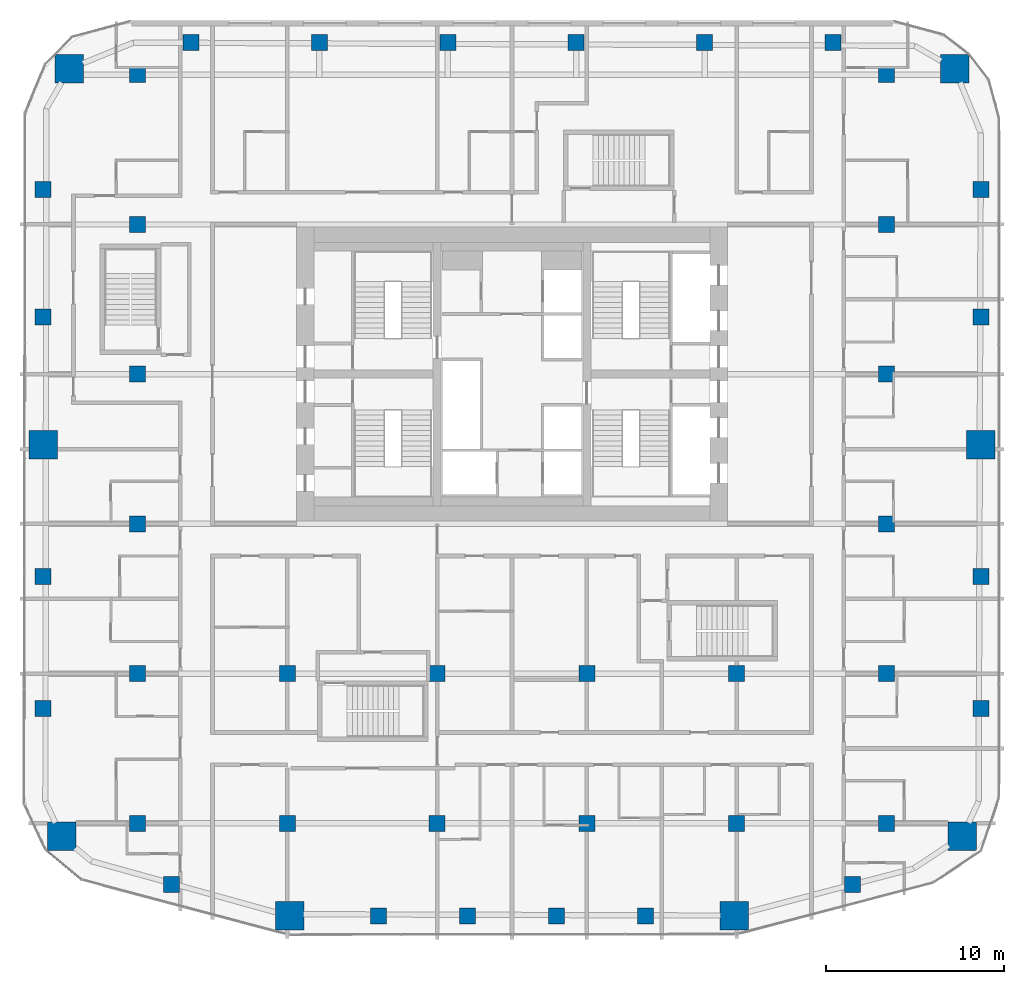
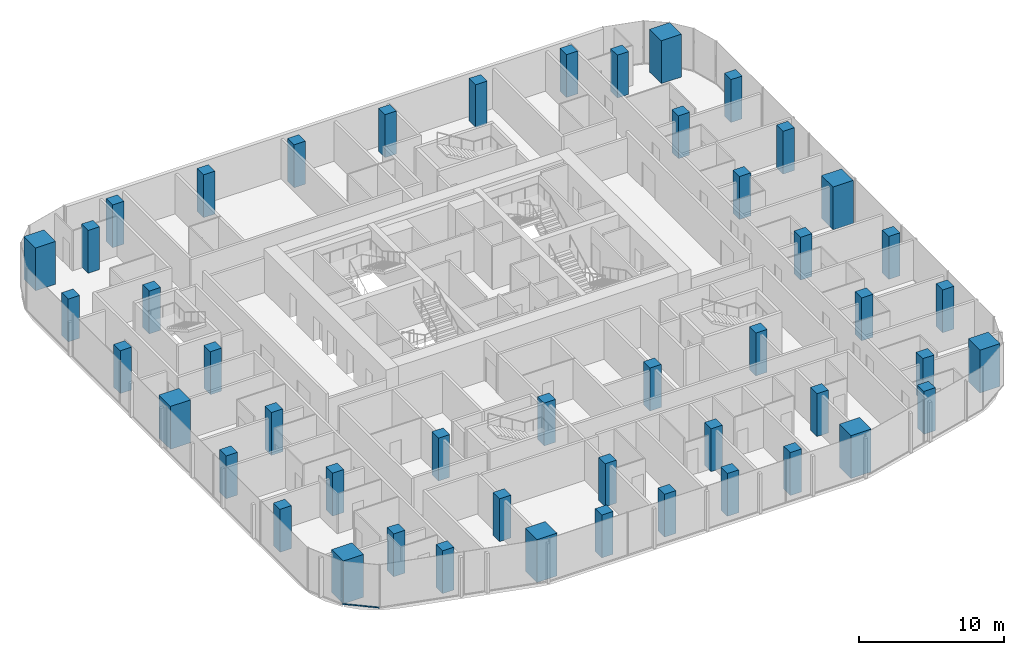
# One storey, part 1 of 23: 48 columns, 1 member, 1 element without a shape of its own.
"""IFC4 building model written with IfcOpenShell, lengths in metres."""

import ifcopenshell
import ifcopenshell.guid

model = None  # the IFC model being written
_history = None  # IfcOwnerHistory: only IFC2X3 demands one
_inside = {}  # id of a spatial element -> (the spatial element, [elements in it])
_under = {}  # id of a project, library or spatial element -> (it, [spatial elements below it])
_declared = {}  # id of a project -> (the project, [libraries it declares])
_typed = {}  # id of a type object -> (the type object, [elements of that type])
_made_of = {}  # id of a material, layer set ... -> (it, [elements and type objects made of it])


def new_model(schema):
    """Start an empty IFC model of exactly this schema.

    Asked for "IFC4X3", IfcOpenShell would pick the latest addendum, in which some entities
    have other attributes; the version numbers below select the first issue.
    IFC2X3 requires an IfcOwnerHistory on every rooted entity: one is made here for all.
    """
    global model, _history
    if schema == "IFC4X3":
        model = ifcopenshell.file(schema_version=(4, 3, 0, 0))
    else:
        model = ifcopenshell.file(schema=schema)
    _inside.clear()
    _under.clear()
    _declared.clear()
    _typed.clear()
    _made_of.clear()
    _history = None
    if model.schema == "IFC2X3":
        org = make("IfcOrganization", Name="unknown")
        user = make(
            "IfcPersonAndOrganization",
            ThePerson=make("IfcPerson", FamilyName="unknown"),
            TheOrganization=org,
        )
        app = make(
            "IfcApplication",
            ApplicationDeveloper=org,
            Version="unknown",
            ApplicationFullName="unknown",
            ApplicationIdentifier="unknown",
        )
        _history = make(
            "IfcOwnerHistory",
            OwningUser=user,
            OwningApplication=app,
            ChangeAction="ADDED",
            CreationDate=0,
        )
    return model


def make(cls, **values):
    """One entity of the class cls with the attributes given. An attribute that is None is left unset."""
    return model.create_entity(
        cls, **{name: value for name, value in values.items() if value is not None}
    )


def rooted(cls, **values):
    """An entity with a GlobalId (a new one), such as an element, a storey or a relation."""
    return make(cls, GlobalId=ifcopenshell.guid.new(), OwnerHistory=_history, **values)


def si_unit(unit_type, name, prefix=None):
    """IfcSIUnit, for example si_unit("LENGTHUNIT", "METRE", prefix="MILLI")."""
    return make("IfcSIUnit", UnitType=unit_type, Prefix=prefix, Name=name)


def assignment(units):
    """IfcUnitAssignment: the units of a project."""
    return None if units is None else make("IfcUnitAssignment", Units=units)


def point(xyz):
    """IfcCartesianPoint."""
    return None if xyz is None else make("IfcCartesianPoint", Coordinates=xyz)


def direction(xyz):
    """IfcDirection."""
    return None if xyz is None else make("IfcDirection", DirectionRatios=xyz)


def frame(location, z_axis=None, x_axis=None):
    """IfcAxis2Placement3D, a coordinate frame: its origin and axes. An axis left out is left unset."""
    return make(
        "IfcAxis2Placement3D",
        Location=point(location),
        Axis=direction(z_axis),
        RefDirection=direction(x_axis),
    )


def frame_2d(location, x_axis=None):
    """IfcAxis2Placement2D, a coordinate frame in the plane: its origin and x axis."""
    return make(
        "IfcAxis2Placement2D", Location=point(location), RefDirection=direction(x_axis)
    )


def origin():
    """The frame at (0, 0, 0) with its axes left unset."""
    return frame((0.0, 0.0, 0.0))


def origin_2d():
    """The frame at (0, 0) in the plane with its x axis left unset."""
    return frame_2d((0.0, 0.0))


def place(relative_to, where):
    """IfcLocalPlacement: puts the frame where relative to a parent placement (None: the world)."""
    return make(
        "IfcLocalPlacement", PlacementRelTo=relative_to, RelativePlacement=where
    )


def context(
    kind, dimensions, precision=None, world=None, true_north=None, identifier=None
):
    """IfcGeometricRepresentationContext, for example the 3D "Model" context."""
    return make(
        "IfcGeometricRepresentationContext",
        ContextIdentifier=identifier,
        ContextType=kind,
        CoordinateSpaceDimension=dimensions,
        Precision=precision,
        WorldCoordinateSystem=world,
        TrueNorth=true_north,
    )


def subcontext(parent, identifier, kind, view, scale=None):
    """IfcGeometricRepresentationSubContext, for example "Body" below "Model"."""
    return make(
        "IfcGeometricRepresentationSubContext",
        ContextIdentifier=identifier,
        ContextType=kind,
        ParentContext=parent,
        TargetScale=scale,
        TargetView=view,
    )


def project(units=None, contexts=None):
    """IfcProject with its units and contexts."""
    return rooted(
        "IfcProject",
        Name="project",
        RepresentationContexts=contexts,
        UnitsInContext=assignment(units),
    )


def spatial(cls, under=None, at=None, **own):
    """A site, building, storey or space (cls), placed at a placement, below another one or the project."""
    s = rooted(cls, ObjectPlacement=at, **own)
    if under is not None:
        _under.setdefault(under.id(), (under, []))[1].append(s)
    return s


def profile(cls, at=None, kind="AREA", **sizes):
    """A parametric profile (cls). Its sizes go by their IFC names, for example OverallWidth=200.0."""
    return make(cls, ProfileType=kind, Position=at, **sizes)


def rectangle(**sizes):
    """IfcRectangleProfileDef."""
    return profile("IfcRectangleProfileDef", **sizes)


def extrude(swept, where, along, depth):
    """IfcExtrudedAreaSolid: the profile swept, set in the frame where, extruded along a direction by depth."""
    return make(
        "IfcExtrudedAreaSolid",
        SweptArea=swept,
        Position=where,
        ExtrudedDirection=direction(along),
        Depth=depth,
    )


def shape(context_of_items, identifier, shape_type, items):
    """IfcShapeRepresentation: the items that make up one representation, for example the "Body"."""
    return make(
        "IfcShapeRepresentation",
        ContextOfItems=context_of_items,
        RepresentationIdentifier=identifier,
        RepresentationType=shape_type,
        Items=items,
    )


def material(Name=None, Category=None):
    """IfcMaterial."""
    return make("IfcMaterial", Name=Name, Category=Category)


def layer(
    of_material, thickness, ventilated=None, Name=None, Category=None, Priority=None
):
    """IfcMaterialLayer: one layer of a wall or slab, of a material (None: an air gap)."""
    return make(
        "IfcMaterialLayer",
        Material=of_material,
        LayerThickness=thickness,
        IsVentilated=ventilated,
        Name=Name,
        Category=Category,
        Priority=Priority,
    )


def layer_set(layers, Name=None):
    """IfcMaterialLayerSet."""
    return make("IfcMaterialLayerSet", MaterialLayers=layers, LayerSetName=Name)


def material_profile(
    of_material, cross_section, Name=None, Category=None, Priority=None
):
    """IfcMaterialProfile: a cross section and its material."""
    return make(
        "IfcMaterialProfile",
        Name=Name,
        Material=of_material,
        Profile=cross_section,
        Priority=Priority,
        Category=Category,
    )


def profile_set(profiles, Name=None, composite=None):
    """IfcMaterialProfileSet."""
    return make(
        "IfcMaterialProfileSet",
        Name=Name,
        MaterialProfiles=profiles,
        CompositeProfile=composite,
    )


def made_of(thing, what):
    """Note that an element or type object is made of a material, layer set ...; save() writes the relation."""
    if what is not None:
        _made_of.setdefault(what.id(), (what, []))[1].append(thing)
    return thing


def type_object(cls, material=None, **own):
    """A type object (cls), such as IfcWallType, which elements share."""
    return made_of(rooted(cls, **own), material)


def element(
    cls,
    number,
    at=None,
    inside=None,
    cuts=None,
    type_object=None,
    material=None,
    context=None,
    identifier="Body",
    shape_type=None,
    held_by="IfcProductDefinitionShape",
    body=None,
    shapes=None,
    **own,
):
    """One element of the class cls, such as IfcWall. Its Tag is "e" and its number.

    at: its placement. inside: the storey or other place that contains it. cuts: it is an
    opening in that element (IfcRelVoidsElement). A single representation is given by context,
    identifier, shape_type and body (its items); several are given by shapes. held_by: the class
    of the entity that holds the representations. save() writes the other relations.
    """
    e = rooted(cls, Tag="e%d" % number, ObjectPlacement=at, **own)
    if body is not None:
        shapes = [shape(context, identifier, shape_type, body)]
    if shapes is not None:
        e.Representation = make(held_by, Representations=shapes)
    if inside is not None:
        _inside.setdefault(inside.id(), (inside, []))[1].append(e)
    if cuts is not None:
        rooted(
            "IfcRelVoidsElement", RelatingBuildingElement=cuts, RelatedOpeningElement=e
        )
    if type_object is not None:
        _typed.setdefault(type_object.id(), (type_object, []))[1].append(e)
    return made_of(e, material)


def aggregate(whole, parts):
    """IfcRelAggregates: a whole, such as a stair, and the parts it consists of."""
    return rooted("IfcRelAggregates", RelatingObject=whole, RelatedObjects=parts)


def save(model, path):
    """Write the relations noted so far, then the file.

    IfcRelAggregates (storeys below a building ...), IfcRelContainedInSpatialStructure (elements
    in a storey), IfcRelDefinesByType, IfcRelAssociatesMaterial and IfcRelDeclares: one each for
    every whole, place, type object, material and project.
    """
    for whole, parts in _under.values():
        aggregate(whole, parts)
    for where, things in _inside.values():
        rooted(
            "IfcRelContainedInSpatialStructure",
            RelatedElements=things,
            RelatingStructure=where,
        )
    for kind, things in _typed.values():
        rooted("IfcRelDefinesByType", RelatedObjects=things, RelatingType=kind)
    for what, things in _made_of.values():
        rooted("IfcRelAssociatesMaterial", RelatedObjects=things, RelatingMaterial=what)
    for by, libraries in _declared.values():
        rooted("IfcRelDeclares", RelatingContext=by, RelatedDefinitions=libraries)
    model.write(path)


model = new_model("IFC4")

# Units and contexts
model_context = context("Model", 3, precision=1e-05, world=origin(), true_north=direction((0.0, 1.0)))
body_context = subcontext(model_context, "Body", "Model", "MODEL_VIEW")
ifc_project = project(units=[si_unit("LENGTHUNIT", "METRE"), si_unit("AREAUNIT", "SQUARE_METRE"), si_unit("VOLUMEUNIT", "CUBIC_METRE"), si_unit("PLANEANGLEUNIT", "RADIAN"), si_unit("MASSUNIT", "GRAM", prefix="KILO")], contexts=[model_context])

# Site, building, storey
site_placement = place(None, origin())
site = spatial("IfcSite", under=ifc_project, at=site_placement, CompositionType="ELEMENT")
building_placement = place(site_placement, origin())
building = spatial("IfcBuilding", under=site, at=building_placement, Name="Marenta Gate Hotel Tower", CompositionType="ELEMENT")
storey_placement = place(building_placement, frame((0.0, 0.0, 140.89990234375)))
storey = spatial("IfcBuildingStorey", under=building, at=storey_placement, Name="L32", CompositionType="ELEMENT", Elevation=140.89990234375)

# Columns
ifc_material_1 = material(Name="Concrete C70", Category="concrete")
ifc_material_profile_1 = material_profile(ifc_material_1, rectangle(XDim=0.89990234375, YDim=0.89990234375, at=origin_2d()), Name="900 x 900")
ifc_profile_set_1 = profile_set([ifc_material_profile_1], Name="Concrete C70")
column_type_1 = type_object("IfcColumnType", Name="Edge column 900 x 900 C70", PredefinedType="COLUMN", material=ifc_profile_set_1)
for number, where, z_axis, x_axis, name in (
    (1, (-26.300048828125, -10.351806640625, 0.0), (0.0, 0.0, 1.0), (1.0, 0.0, 0.0), "L32-EC-SW-W-1"),
    (2, (-26.300048828125, -2.950927734375, 0.0), (0.0, 0.0, 1.0), (1.0, 0.0, 0.0), "L32-EC-SW-W-2"),
    (3, (-26.300048828125, 11.603271484375, 0.0), (0.0, 0.0, 1.0), (1.0, 0.0, 0.0), "L32-EC-W-NW-1"),
    (4, (-26.300048828125, 18.75634765625, 0.0), (0.0, 0.0, 1.0), (1.0, 0.0, 0.0), "L32-EC-W-NW-2"),
    (5, (-18.0068359375, 27.0, 0.0), (0.0, 0.0, 1.0), (1.0, 0.0, 0.0), "L32-EC-NW-NE-1"),
    (6, (-10.80419921875, 27.0, 0.0), (0.0, 0.0, 1.0), (1.0, 0.0, 0.0), "L32-EC-NW-NE-2"),
    (7, (-3.601318359375, 27.0, 0.0), (0.0, 0.0, 1.0), (1.0, 0.0, 0.0), "L32-EC-NW-NE-3"),
    (8, (3.601318359375, 27.0, 0.0), (0.0, 0.0, 1.0), (1.0, 0.0, 0.0), "L32-EC-NW-NE-4"),
    (9, (10.80419921875, 27.0, 0.0), (0.0, 0.0, 1.0), (1.0, 0.0, 0.0), "L32-EC-NW-NE-5"),
    (10, (18.0068359375, 27.0, 0.0), (0.0, 0.0, 1.0), (1.0, 0.0, 0.0), "L32-EC-NW-NE-6"),
    (11, (26.300048828125, 18.75634765625, 0.0), (0.0, 0.0, 1.0), (1.0, 0.0, 0.0), "L32-EC-NE-E-1"),
    (12, (26.300048828125, 11.603271484375, 0.0), (0.0, 0.0, 1.0), (1.0, 0.0, 0.0), "L32-EC-NE-E-2"),
    (13, (26.300048828125, -2.950927734375, 0.0), (0.0, 0.0, 1.0), (1.0, 0.0, 0.0), "L32-EC-E-SE-1"),
    (14, (26.300048828125, -10.351806640625, 0.0), (0.0, 0.0, 1.0), (1.0, 0.0, 0.0), "L32-EC-E-SE-2"),
    (15, (19.106689453125, -20.239013671875, 0.0), (0.0, 0.0, 1.0), (1.0, 0.0, 0.0), "L32-EC-SE-SKE-1"),
    (16, (7.47998046875, -22.0, 0.0), (0.0, 0.0, 1.0), (1.0, 0.0, 0.0), "L32-EC-SKE-SKW-1"),
    (17, (2.493408203125, -22.0, 0.0), (0.0, 0.0, 1.0), (1.0, 0.0, 0.0), "L32-EC-SKE-SKW-2"),
    (18, (-2.493408203125, -22.0, 0.0), (0.0, 0.0, 1.0), (1.0, 0.0, 0.0), "L32-EC-SKE-SKW-3"),
    (19, (-7.47998046875, -22.0, 0.0), (0.0, 0.0, 1.0), (1.0, 0.0, 0.0), "L32-EC-SKE-SKW-4"),
    (20, (-19.106689453125, -20.239013671875, 0.0), (0.0, 0.0, 1.0), (1.0, 0.0, 0.0), "L32-EC-SKW-SW-1"),
):
    element("IfcColumn", number, at=place(storey_placement, frame(where, z_axis=z_axis, x_axis=x_axis)), inside=storey, type_object=column_type_1, Name=name, PredefinedType="COLUMN", context=body_context, shape_type="SweptSolid", body=[
        extrude(rectangle(XDim=0.89990234375, YDim=0.89990234375, at=origin_2d()), origin(), (0.0, 0.0, 1.0), 3.60009765625),
    ])
ifc_material_2 = material(Name="Concrete C70", Category="concrete")
ifc_material_profile_2 = material_profile(ifc_material_2, rectangle(XDim=0.89990234375, YDim=0.89990234375, at=origin_2d()), Name="900 x 900")
ifc_profile_set_2 = profile_set([ifc_material_profile_2], Name="Concrete C70")
column_type_2 = type_object("IfcColumnType", Name="Interior column 900 x 900 C70", PredefinedType="COLUMN", material=ifc_profile_set_2)
for number, where, z_axis, x_axis, name in (
    (21, (-21.0, -16.800048828125, 0.0), (0.0, 0.0, 1.0), (1.0, 0.0, 0.0), "L32-IC-4D"),
    (22, (-21.0, -8.39990234375, 0.0), (0.0, 0.0, 1.0), (1.0, 0.0, 0.0), "L32-IC-4E"),
    (23, (-21.0, 0.0, 0.0), (0.0, 0.0, 1.0), (1.0, 0.0, 0.0), "L32-IC-4F"),
    (24, (-21.0, 8.39990234375, 0.0), (0.0, 0.0, 1.0), (1.0, 0.0, 0.0), "L32-IC-4G"),
    (25, (-21.0, 16.800048828125, 0.0), (0.0, 0.0, 1.0), (1.0, 0.0, 0.0), "L32-IC-4H"),
    (26, (-21.0, 25.199951171875, 0.0), (0.0, 0.0, 1.0), (1.0, 0.0, 0.0), "L32-IC-4I"),
    (27, (-12.60009765625, -16.800048828125, 0.0), (0.0, 0.0, 1.0), (1.0, 0.0, 0.0), "L32-IC-5D"),
    (28, (-12.60009765625, -8.39990234375, 0.0), (0.0, 0.0, 1.0), (1.0, 0.0, 0.0), "L32-IC-5E"),
    (29, (-4.199951171875, -16.800048828125, 0.0), (0.0, 0.0, 1.0), (1.0, 0.0, 0.0), "L32-IC-6D"),
    (30, (-4.199951171875, -8.39990234375, 0.0), (0.0, 0.0, 1.0), (1.0, 0.0, 0.0), "L32-IC-6E"),
    (31, (4.199951171875, -16.800048828125, 0.0), (0.0, 0.0, 1.0), (1.0, 0.0, 0.0), "L32-IC-7D"),
    (32, (4.199951171875, -8.39990234375, 0.0), (0.0, 0.0, 1.0), (1.0, 0.0, 0.0), "L32-IC-7E"),
    (33, (12.60009765625, -16.800048828125, 0.0), (0.0, 0.0, 1.0), (1.0, 0.0, 0.0), "L32-IC-8D"),
    (34, (12.60009765625, -8.39990234375, 0.0), (0.0, 0.0, 1.0), (1.0, 0.0, 0.0), "L32-IC-8E"),
    (35, (21.0, -16.800048828125, 0.0), (0.0, 0.0, 1.0), (1.0, 0.0, 0.0), "L32-IC-9D"),
    (36, (21.0, -8.39990234375, 0.0), (0.0, 0.0, 1.0), (1.0, 0.0, 0.0), "L32-IC-9E"),
    (37, (21.0, 0.0, 0.0), (0.0, 0.0, 1.0), (1.0, 0.0, 0.0), "L32-IC-9F"),
    (38, (21.0, 8.39990234375, 0.0), (0.0, 0.0, 1.0), (1.0, 0.0, 0.0), "L32-IC-9G"),
    (39, (21.0, 16.800048828125, 0.0), (0.0, 0.0, 1.0), (1.0, 0.0, 0.0), "L32-IC-9H"),
    (40, (21.0, 25.199951171875, 0.0), (0.0, 0.0, 1.0), (1.0, 0.0, 0.0), "L32-IC-9I"),
):
    element("IfcColumn", number, at=place(storey_placement, frame(where, z_axis=z_axis, x_axis=x_axis)), inside=storey, type_object=column_type_2, Name=name, PredefinedType="COLUMN", context=body_context, shape_type="SweptSolid", body=[
        extrude(rectangle(XDim=0.89990234375, YDim=0.89990234375, at=origin_2d()), origin(), (0.0, 0.0, 1.0), 3.60009765625),
    ])
ifc_material_3 = material(Name="Concrete C70", Category="concrete")
ifc_material_profile_3 = material_profile(ifc_material_3, rectangle(XDim=1.60009765625, YDim=1.60009765625, at=origin_2d()), Name="1600 x 1600")
ifc_profile_set_3 = profile_set([ifc_material_profile_3], Name="Concrete C70")
column_type_3 = type_object("IfcColumnType", Name="Mega column 1600 x 1600 C70", PredefinedType="COLUMN", material=ifc_profile_set_3)
for number, where, z_axis, x_axis, name in (
    (41, (-25.262939453125, -17.532958984375, 0.0), (0.0, 0.0, 1.0), (1.0, 0.0, 0.0), "L32-MC-SW"),
    (42, (-12.46630859375, -21.974853515625, 0.0), (0.0, 0.0, 1.0), (1.0, 0.0, 0.0), "L32-MC-SKW"),
    (43, (12.46630859375, -21.974853515625, 0.0), (0.0, 0.0, 1.0), (1.0, 0.0, 0.0), "L32-MC-SKE"),
    (44, (25.262939453125, -17.532958984375, 0.0), (0.0, 0.0, 1.0), (1.0, 0.0, 0.0), "L32-MC-SE"),
    (45, (26.300048828125, 4.449951171875, 0.0), (0.0, 0.0, 1.0), (1.0, 0.0, 0.0), "L32-MC-E"),
    (46, (24.83544921875, 25.535400390625, 0.0), (0.0, 0.0, 1.0), (1.0, 0.0, 0.0), "L32-MC-NE"),
    (47, (-24.83544921875, 25.535400390625, 0.0), (0.0, 0.0, 1.0), (1.0, 0.0, 0.0), "L32-MC-NW"),
    (48, (-26.300048828125, 4.449951171875, 0.0), (0.0, 0.0, 1.0), (1.0, 0.0, 0.0), "L32-MC-W"),
):
    element("IfcColumn", number, at=place(storey_placement, frame(where, z_axis=z_axis, x_axis=x_axis)), inside=storey, type_object=column_type_3, Name=name, PredefinedType="COLUMN", context=body_context, shape_type="SweptSolid", body=[
        extrude(rectangle(XDim=1.60009765625, YDim=1.60009765625, at=origin_2d()), origin(), (0.0, 0.0, 1.0), 3.60009765625),
    ])

# Curtain wall, member
ifc_material_4 = material(Name="Tinted insulated glass in bronze anodised frame", Category="glass")
ifc_layer = layer(ifc_material_4, 0.1201171875)
ifc_layer_set = layer_set([ifc_layer], Name="Tinted insulated glass in bronze anodised frame")
curtain_wall_type = type_object("IfcCurtainWallType", Name="Tower unitised curtain wall CW1", PredefinedType="NOTDEFINED", material=ifc_layer_set)
curtain_wall_placement = place(storey_placement, origin())
curtain_wall = element("IfcCurtainWall", 49, at=curtain_wall_placement, inside=storey, type_object=curtain_wall_type, Name="CW1 run G05", PredefinedType="NOTDEFINED")
ifc_material_5 = material(Name="Bronze anodised aluminium", Category="aluminium")
ifc_material_profile_4 = material_profile(ifc_material_5, rectangle(XDim=0.1201171875, YDim=0.06005859375, at=origin_2d()), Name="Transom CW1 60x120 bronze anodised aluminium")
ifc_profile_set_4 = profile_set([ifc_material_profile_4], Name="Bronze anodised aluminium")
member_type = type_object("IfcMemberType", Name="Transom CW1 60x120 bronze anodised aluminium", PredefinedType="USERDEFINED", material=ifc_profile_set_4)
member_placement = place(storey_placement, frame((-26.12890625, -18.296142578125, 0.030029296875), z_axis=(0.767116735682, -0.641507532175, 0.0), x_axis=(0.641507532175, 0.767116735682, 0.0)))
member = element("IfcMember", 50, at=member_placement, type_object=member_type, Name="CW1 transom 1.1", ObjectType="TRANSOM", PredefinedType="USERDEFINED", context=body_context, shape_type="SweptSolid", body=[
    extrude(rectangle(XDim=0.1201171875, YDim=0.06005859375, at=origin_2d()), origin(), (0.0, 0.0, 1.0), 2.575439453125),
])
aggregate(curtain_wall, [member])

save(model, "model.ifc")
